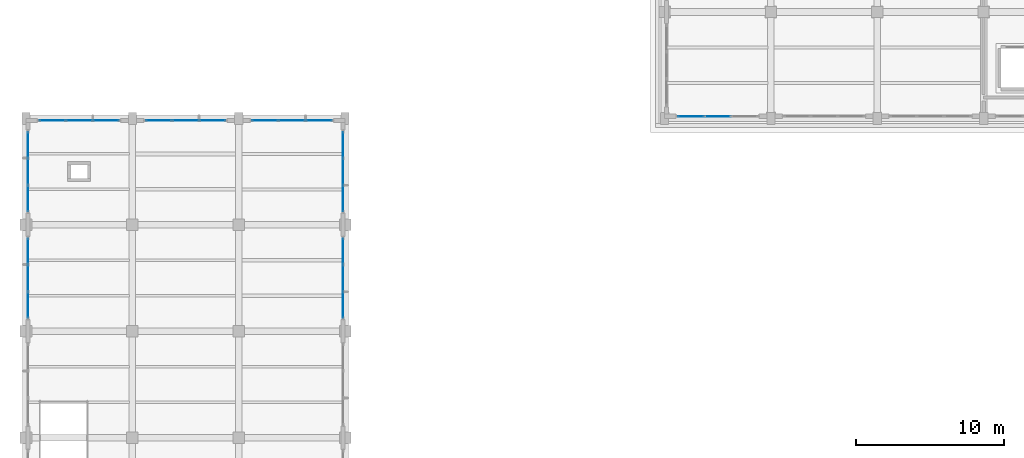
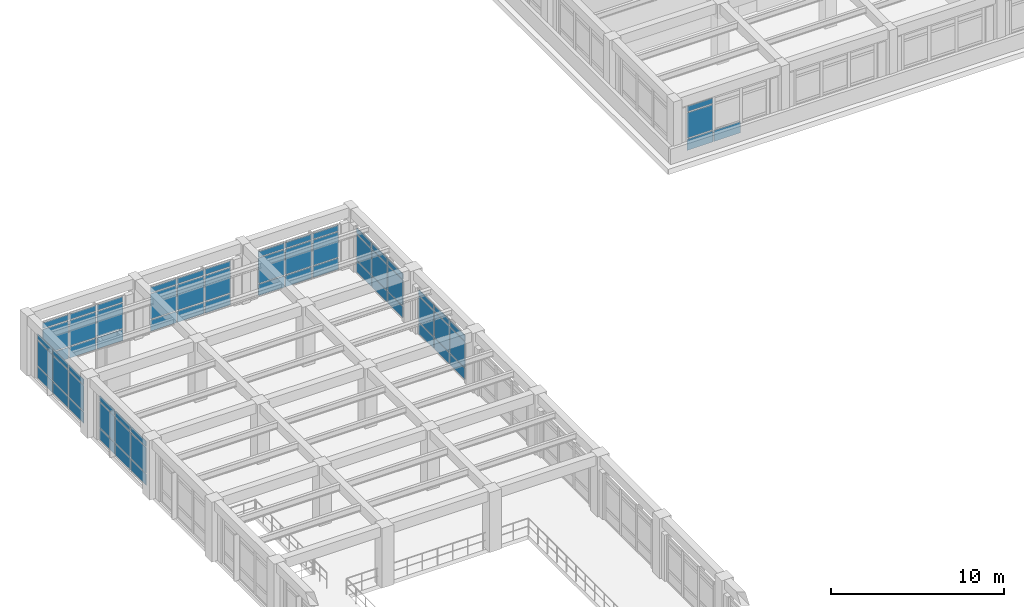
# One storey, part 41 of 67: 67 plates, 8 elements without a shape of their own.
"""IFC4 building model written with IfcOpenShell, lengths in metres."""

import ifcopenshell
import ifcopenshell.guid

model = None  # the IFC model being written
_history = None  # IfcOwnerHistory: only IFC2X3 demands one
_inside = {}  # id of a spatial element -> (the spatial element, [elements in it])
_under = {}  # id of a project, library or spatial element -> (it, [spatial elements below it])
_declared = {}  # id of a project -> (the project, [libraries it declares])
_typed = {}  # id of a type object -> (the type object, [elements of that type])
_made_of = {}  # id of a material, layer set ... -> (it, [elements and type objects made of it])


def new_model(schema):
    """Start an empty IFC model of exactly this schema.

    Asked for "IFC4X3", IfcOpenShell would pick the latest addendum, in which some entities
    have other attributes; the version numbers below select the first issue.
    IFC2X3 requires an IfcOwnerHistory on every rooted entity: one is made here for all.
    """
    global model, _history
    if schema == "IFC4X3":
        model = ifcopenshell.file(schema_version=(4, 3, 0, 0))
    else:
        model = ifcopenshell.file(schema=schema)
    _inside.clear()
    _under.clear()
    _declared.clear()
    _typed.clear()
    _made_of.clear()
    _history = None
    if model.schema == "IFC2X3":
        org = make("IfcOrganization", Name="unknown")
        user = make(
            "IfcPersonAndOrganization",
            ThePerson=make("IfcPerson", FamilyName="unknown"),
            TheOrganization=org,
        )
        app = make(
            "IfcApplication",
            ApplicationDeveloper=org,
            Version="unknown",
            ApplicationFullName="unknown",
            ApplicationIdentifier="unknown",
        )
        _history = make(
            "IfcOwnerHistory",
            OwningUser=user,
            OwningApplication=app,
            ChangeAction="ADDED",
            CreationDate=0,
        )
    return model


def make(cls, **values):
    """One entity of the class cls with the attributes given. An attribute that is None is left unset."""
    return model.create_entity(
        cls, **{name: value for name, value in values.items() if value is not None}
    )


def rooted(cls, **values):
    """An entity with a GlobalId (a new one), such as an element, a storey or a relation."""
    return make(cls, GlobalId=ifcopenshell.guid.new(), OwnerHistory=_history, **values)


def si_unit(unit_type, name, prefix=None):
    """IfcSIUnit, for example si_unit("LENGTHUNIT", "METRE", prefix="MILLI")."""
    return make("IfcSIUnit", UnitType=unit_type, Prefix=prefix, Name=name)


def assignment(units):
    """IfcUnitAssignment: the units of a project."""
    return None if units is None else make("IfcUnitAssignment", Units=units)


def point(xyz):
    """IfcCartesianPoint."""
    return None if xyz is None else make("IfcCartesianPoint", Coordinates=xyz)


def direction(xyz):
    """IfcDirection."""
    return None if xyz is None else make("IfcDirection", DirectionRatios=xyz)


def frame(location, z_axis=None, x_axis=None):
    """IfcAxis2Placement3D, a coordinate frame: its origin and axes. An axis left out is left unset."""
    return make(
        "IfcAxis2Placement3D",
        Location=point(location),
        Axis=direction(z_axis),
        RefDirection=direction(x_axis),
    )


def frame_2d(location, x_axis=None):
    """IfcAxis2Placement2D, a coordinate frame in the plane: its origin and x axis."""
    return make(
        "IfcAxis2Placement2D", Location=point(location), RefDirection=direction(x_axis)
    )


def origin():
    """The frame at (0, 0, 0) with its axes left unset."""
    return frame((0.0, 0.0, 0.0))


def origin_2d():
    """The frame at (0, 0) in the plane with its x axis left unset."""
    return frame_2d((0.0, 0.0))


def place(relative_to, where):
    """IfcLocalPlacement: puts the frame where relative to a parent placement (None: the world)."""
    return make(
        "IfcLocalPlacement", PlacementRelTo=relative_to, RelativePlacement=where
    )


def context(
    kind, dimensions, precision=None, world=None, true_north=None, identifier=None
):
    """IfcGeometricRepresentationContext, for example the 3D "Model" context."""
    return make(
        "IfcGeometricRepresentationContext",
        ContextIdentifier=identifier,
        ContextType=kind,
        CoordinateSpaceDimension=dimensions,
        Precision=precision,
        WorldCoordinateSystem=world,
        TrueNorth=true_north,
    )


def subcontext(parent, identifier, kind, view, scale=None):
    """IfcGeometricRepresentationSubContext, for example "Body" below "Model"."""
    return make(
        "IfcGeometricRepresentationSubContext",
        ContextIdentifier=identifier,
        ContextType=kind,
        ParentContext=parent,
        TargetScale=scale,
        TargetView=view,
    )


def project(units=None, contexts=None):
    """IfcProject with its units and contexts."""
    return rooted(
        "IfcProject",
        Name="project",
        RepresentationContexts=contexts,
        UnitsInContext=assignment(units),
    )


def spatial(cls, under=None, at=None, **own):
    """A site, building, storey or space (cls), placed at a placement, below another one or the project."""
    s = rooted(cls, ObjectPlacement=at, **own)
    if under is not None:
        _under.setdefault(under.id(), (under, []))[1].append(s)
    return s


def profile(cls, at=None, kind="AREA", **sizes):
    """A parametric profile (cls). Its sizes go by their IFC names, for example OverallWidth=200.0."""
    return make(cls, ProfileType=kind, Position=at, **sizes)


def rectangle(**sizes):
    """IfcRectangleProfileDef."""
    return profile("IfcRectangleProfileDef", **sizes)


def extrude(swept, where, along, depth):
    """IfcExtrudedAreaSolid: the profile swept, set in the frame where, extruded along a direction by depth."""
    return make(
        "IfcExtrudedAreaSolid",
        SweptArea=swept,
        Position=where,
        ExtrudedDirection=direction(along),
        Depth=depth,
    )


def shape(context_of_items, identifier, shape_type, items):
    """IfcShapeRepresentation: the items that make up one representation, for example the "Body"."""
    return make(
        "IfcShapeRepresentation",
        ContextOfItems=context_of_items,
        RepresentationIdentifier=identifier,
        RepresentationType=shape_type,
        Items=items,
    )


def material(Name=None, Category=None):
    """IfcMaterial."""
    return make("IfcMaterial", Name=Name, Category=Category)


def layer(
    of_material, thickness, ventilated=None, Name=None, Category=None, Priority=None
):
    """IfcMaterialLayer: one layer of a wall or slab, of a material (None: an air gap)."""
    return make(
        "IfcMaterialLayer",
        Material=of_material,
        LayerThickness=thickness,
        IsVentilated=ventilated,
        Name=Name,
        Category=Category,
        Priority=Priority,
    )


def layer_set(layers, Name=None):
    """IfcMaterialLayerSet."""
    return make("IfcMaterialLayerSet", MaterialLayers=layers, LayerSetName=Name)


def made_of(thing, what):
    """Note that an element or type object is made of a material, layer set ...; save() writes the relation."""
    if what is not None:
        _made_of.setdefault(what.id(), (what, []))[1].append(thing)
    return thing


def type_object(cls, material=None, **own):
    """A type object (cls), such as IfcWallType, which elements share."""
    return made_of(rooted(cls, **own), material)


def element(
    cls,
    number,
    at=None,
    inside=None,
    cuts=None,
    type_object=None,
    material=None,
    context=None,
    identifier="Body",
    shape_type=None,
    held_by="IfcProductDefinitionShape",
    body=None,
    shapes=None,
    **own,
):
    """One element of the class cls, such as IfcWall. Its Tag is "e" and its number.

    at: its placement. inside: the storey or other place that contains it. cuts: it is an
    opening in that element (IfcRelVoidsElement). A single representation is given by context,
    identifier, shape_type and body (its items); several are given by shapes. held_by: the class
    of the entity that holds the representations. save() writes the other relations.
    """
    e = rooted(cls, Tag="e%d" % number, ObjectPlacement=at, **own)
    if body is not None:
        shapes = [shape(context, identifier, shape_type, body)]
    if shapes is not None:
        e.Representation = make(held_by, Representations=shapes)
    if inside is not None:
        _inside.setdefault(inside.id(), (inside, []))[1].append(e)
    if cuts is not None:
        rooted(
            "IfcRelVoidsElement", RelatingBuildingElement=cuts, RelatedOpeningElement=e
        )
    if type_object is not None:
        _typed.setdefault(type_object.id(), (type_object, []))[1].append(e)
    return made_of(e, material)


def aggregate(whole, parts):
    """IfcRelAggregates: a whole, such as a stair, and the parts it consists of."""
    return rooted("IfcRelAggregates", RelatingObject=whole, RelatedObjects=parts)


def save(model, path):
    """Write the relations noted so far, then the file.

    IfcRelAggregates (storeys below a building ...), IfcRelContainedInSpatialStructure (elements
    in a storey), IfcRelDefinesByType, IfcRelAssociatesMaterial and IfcRelDeclares: one each for
    every whole, place, type object, material and project.
    """
    for whole, parts in _under.values():
        aggregate(whole, parts)
    for where, things in _inside.values():
        rooted(
            "IfcRelContainedInSpatialStructure",
            RelatedElements=things,
            RelatingStructure=where,
        )
    for kind, things in _typed.values():
        rooted("IfcRelDefinesByType", RelatedObjects=things, RelatingType=kind)
    for what, things in _made_of.values():
        rooted("IfcRelAssociatesMaterial", RelatedObjects=things, RelatingMaterial=what)
    for by, libraries in _declared.values():
        rooted("IfcRelDeclares", RelatingContext=by, RelatedDefinitions=libraries)
    model.write(path)


model = new_model("IFC4")

# Units and contexts
model_context = context("Model", 3, precision=1e-05, world=origin(), true_north=direction((0.0, 1.0)))
body_context = subcontext(model_context, "Body", "Model", "MODEL_VIEW")
ifc_project = project(units=[si_unit("LENGTHUNIT", "METRE"), si_unit("AREAUNIT", "SQUARE_METRE"), si_unit("VOLUMEUNIT", "CUBIC_METRE"), si_unit("PLANEANGLEUNIT", "RADIAN"), si_unit("MASSUNIT", "GRAM", prefix="KILO")], contexts=[model_context])

# Site, building, storey
site_placement = place(None, origin())
site = spatial("IfcSite", under=ifc_project, at=site_placement, CompositionType="ELEMENT")
building_placement = place(site_placement, origin())
building = spatial("IfcBuilding", under=site, at=building_placement, Name="Solenvale Faculty of Natural Sciences", CompositionType="ELEMENT")
storey_placement = place(building_placement, frame((0.0, 0.0, 13.5)))
storey = spatial("IfcBuildingStorey", under=building, at=storey_placement, Name="L03", CompositionType="ELEMENT", Elevation=13.5)

# Curtain wall, plates
ifc_material_1 = material(Name="Anodised bronze aluminium", Category="aluminium")
ifc_layer_1 = layer(ifc_material_1, 0.215087890625)
ifc_layer_set_1 = layer_set([ifc_layer_1], Name="Anodised bronze aluminium")
curtain_wall_type_1 = type_object("IfcCurtainWallType", Name="CW-ATR-UNIT", PredefinedType="USERDEFINED", material=ifc_layer_set_1)
curtain_wall_1_placement = place(storey_placement, origin())
curtain_wall_1 = element("IfcCurtainWall", 1, at=curtain_wall_1_placement, inside=storey, type_object=curtain_wall_type_1, Name="L03 Curtain Wall CW-L03-P1-E2-B2", ObjectType="UNITISED CURTAIN WALL", PredefinedType="USERDEFINED")
ifc_material_2 = material(Name="North-light skylight glass", Category="glass")
ifc_layer_2 = layer(ifc_material_2, 0.028076171875)
ifc_layer_set_2 = layer_set([ifc_layer_2], Name="North-light skylight glass")
plate_type_1 = type_object("IfcPlateType", Name="CWP-PNL-28", PredefinedType="CURTAIN_PANEL", material=ifc_layer_set_2)
plate_1_placement = place(storey_placement, frame((48.614501953125, 93.45751953125, 0.074951171875), z_axis=(0.0, 0.0, 1.0), x_axis=(-1.0, 0.0, 0.0)))
plate_1 = element("IfcPlate", 2, at=plate_1_placement, type_object=plate_type_1, Name="CW-01 panel 1.1", PredefinedType="CURTAIN_PANEL", context=body_context, shape_type="SweptSolid", body=[
    extrude(rectangle(XDim=1.720947265625, YDim=0.028076171875, at=origin_2d()), origin(), (0.0, 0.0, 1.0), 0.78759765625),
])
plate_2_placement = place(storey_placement, frame((48.614501953125, 93.45751953125, 0.9375), z_axis=(0.0, 0.0, 1.0), x_axis=(-1.0, 0.0, 0.0)))
plate_2 = element("IfcPlate", 3, at=plate_2_placement, type_object=plate_type_1, Name="CW-01 panel 1.2", PredefinedType="CURTAIN_PANEL", context=body_context, shape_type="SweptSolid", body=[
    extrude(rectangle(XDim=1.720947265625, YDim=0.028076171875, at=origin_2d()), origin(), (0.0, 0.0, 1.0), 1.784912109375),
])
plate_3_placement = place(storey_placement, frame((48.614501953125, 93.45751953125, 2.79736328125), z_axis=(0.0, 0.0, 1.0), x_axis=(-1.0, 0.0, 0.0)))
plate_3 = element("IfcPlate", 4, at=plate_3_placement, type_object=plate_type_1, Name="CW-01 panel 1.3", PredefinedType="CURTAIN_PANEL", context=body_context, shape_type="SweptSolid", body=[
    extrude(rectangle(XDim=1.720947265625, YDim=0.028076171875, at=origin_2d()), origin(), (0.0, 0.0, 1.0), 0.387451171875),
])
plate_4_placement = place(storey_placement, frame((46.800048828125, 93.45751953125, 0.074951171875), z_axis=(0.0, 0.0, 1.0), x_axis=(-1.0, 0.0, 0.0)))
plate_4 = element("IfcPlate", 5, at=plate_4_placement, type_object=plate_type_1, Name="CW-01 panel 2.1", PredefinedType="CURTAIN_PANEL", context=body_context, shape_type="SweptSolid", body=[
    extrude(rectangle(XDim=1.75830078125, YDim=0.028076171875, at=origin_2d()), origin(), (0.0, 0.0, 1.0), 0.78759765625),
])
plate_5_placement = place(storey_placement, frame((46.800048828125, 93.45751953125, 0.9375), z_axis=(0.0, 0.0, 1.0), x_axis=(-1.0, 0.0, 0.0)))
plate_5 = element("IfcPlate", 6, at=plate_5_placement, type_object=plate_type_1, Name="CW-01 panel 2.2", PredefinedType="CURTAIN_PANEL", context=body_context, shape_type="SweptSolid", body=[
    extrude(rectangle(XDim=1.75830078125, YDim=0.028076171875, at=origin_2d()), origin(), (0.0, 0.0, 1.0), 1.784912109375),
])
plate_6_placement = place(storey_placement, frame((46.800048828125, 93.45751953125, 2.79736328125), z_axis=(0.0, 0.0, 1.0), x_axis=(-1.0, 0.0, 0.0)))
plate_6 = element("IfcPlate", 7, at=plate_6_placement, type_object=plate_type_1, Name="CW-01 panel 2.3", PredefinedType="CURTAIN_PANEL", context=body_context, shape_type="SweptSolid", body=[
    extrude(rectangle(XDim=1.75830078125, YDim=0.028076171875, at=origin_2d()), origin(), (0.0, 0.0, 1.0), 0.387451171875),
])
plate_7_placement = place(storey_placement, frame((44.9853515625, 93.45751953125, 0.074951171875), z_axis=(0.0, 0.0, 1.0), x_axis=(-1.0, 0.0, 0.0)))
plate_7 = element("IfcPlate", 8, at=plate_7_placement, type_object=plate_type_1, Name="CW-01 panel 3.1", PredefinedType="CURTAIN_PANEL", context=body_context, shape_type="SweptSolid", body=[
    extrude(rectangle(XDim=1.720947265625, YDim=0.028076171875, at=origin_2d()), origin(), (0.0, 0.0, 1.0), 0.78759765625),
])
plate_8_placement = place(storey_placement, frame((44.9853515625, 93.45751953125, 0.9375), z_axis=(0.0, 0.0, 1.0), x_axis=(-1.0, 0.0, 0.0)))
plate_8 = element("IfcPlate", 9, at=plate_8_placement, type_object=plate_type_1, Name="CW-01 panel 3.2", PredefinedType="CURTAIN_PANEL", context=body_context, shape_type="SweptSolid", body=[
    extrude(rectangle(XDim=1.720947265625, YDim=0.028076171875, at=origin_2d()), origin(), (0.0, 0.0, 1.0), 1.784912109375),
])
plate_9_placement = place(storey_placement, frame((44.9853515625, 93.45751953125, 2.79736328125), z_axis=(0.0, 0.0, 1.0), x_axis=(-1.0, 0.0, 0.0)))
plate_9 = element("IfcPlate", 10, at=plate_9_placement, type_object=plate_type_1, Name="CW-01 panel 3.3", PredefinedType="CURTAIN_PANEL", context=body_context, shape_type="SweptSolid", body=[
    extrude(rectangle(XDim=1.720947265625, YDim=0.028076171875, at=origin_2d()), origin(), (0.0, 0.0, 1.0), 0.387451171875),
])
aggregate(curtain_wall_1, [plate_1, plate_2, plate_3, plate_4, plate_5, plate_6, plate_7, plate_8, plate_9])

curtain_wall_2_placement = place(storey_placement, origin())
curtain_wall_2 = element("IfcCurtainWall", 11, at=curtain_wall_2_placement, inside=storey, type_object=curtain_wall_type_1, Name="L03 Curtain Wall CW-L03-P1-E3-B1", ObjectType="UNITISED CURTAIN WALL", PredefinedType="USERDEFINED")
plate_10_placement = place(storey_placement, frame((36.142578125, 91.814697265625, 0.074951171875), z_axis=(0.0, 0.0, 1.0), x_axis=(0.0, -1.0, 0.0)))
plate_10 = element("IfcPlate", 12, at=plate_10_placement, type_object=plate_type_1, Name="CW-01 panel 1.1", PredefinedType="CURTAIN_PANEL", context=body_context, shape_type="SweptSolid", body=[
    extrude(rectangle(XDim=1.720947265625, YDim=0.028076171875, at=origin_2d()), origin(), (0.0, 0.0, 1.0), 0.78759765625),
])
plate_11_placement = place(storey_placement, frame((36.142578125, 91.814697265625, 0.9375), z_axis=(0.0, 0.0, 1.0), x_axis=(0.0, -1.0, 0.0)))
plate_11 = element("IfcPlate", 13, at=plate_11_placement, type_object=plate_type_1, Name="CW-01 panel 1.2", PredefinedType="CURTAIN_PANEL", context=body_context, shape_type="SweptSolid", body=[
    extrude(rectangle(XDim=1.720947265625, YDim=0.028076171875, at=origin_2d()), origin(), (0.0, 0.0, 1.0), 1.784912109375),
])
plate_12_placement = place(storey_placement, frame((36.142578125, 91.814697265625, 2.79736328125), z_axis=(0.0, 0.0, 1.0), x_axis=(0.0, -1.0, 0.0)))
plate_12 = element("IfcPlate", 14, at=plate_12_placement, type_object=plate_type_1, Name="CW-01 panel 1.3", PredefinedType="CURTAIN_PANEL", context=body_context, shape_type="SweptSolid", body=[
    extrude(rectangle(XDim=1.720947265625, YDim=0.028076171875, at=origin_2d()), origin(), (0.0, 0.0, 1.0), 0.387451171875),
])
plate_13_placement = place(storey_placement, frame((36.142578125, 90.0, 0.074951171875), z_axis=(0.0, 0.0, 1.0), x_axis=(0.0, -1.0, 0.0)))
plate_13 = element("IfcPlate", 15, at=plate_13_placement, type_object=plate_type_1, Name="CW-01 panel 2.1", PredefinedType="CURTAIN_PANEL", context=body_context, shape_type="SweptSolid", body=[
    extrude(rectangle(XDim=1.75830078125, YDim=0.028076171875, at=origin_2d()), origin(), (0.0, 0.0, 1.0), 0.78759765625),
])
plate_14_placement = place(storey_placement, frame((36.142578125, 90.0, 0.9375), z_axis=(0.0, 0.0, 1.0), x_axis=(0.0, -1.0, 0.0)))
plate_14 = element("IfcPlate", 16, at=plate_14_placement, type_object=plate_type_1, Name="CW-01 panel 2.2", PredefinedType="CURTAIN_PANEL", context=body_context, shape_type="SweptSolid", body=[
    extrude(rectangle(XDim=1.75830078125, YDim=0.028076171875, at=origin_2d()), origin(), (0.0, 0.0, 1.0), 1.784912109375),
])
plate_15_placement = place(storey_placement, frame((36.142578125, 90.0, 2.79736328125), z_axis=(0.0, 0.0, 1.0), x_axis=(0.0, -1.0, 0.0)))
plate_15 = element("IfcPlate", 17, at=plate_15_placement, type_object=plate_type_1, Name="CW-01 panel 2.3", PredefinedType="CURTAIN_PANEL", context=body_context, shape_type="SweptSolid", body=[
    extrude(rectangle(XDim=1.75830078125, YDim=0.028076171875, at=origin_2d()), origin(), (0.0, 0.0, 1.0), 0.387451171875),
])
plate_16_placement = place(storey_placement, frame((36.142578125, 88.185302734375, 0.074951171875), z_axis=(0.0, 0.0, 1.0), x_axis=(0.0, -1.0, 0.0)))
plate_16 = element("IfcPlate", 18, at=plate_16_placement, type_object=plate_type_1, Name="CW-01 panel 3.1", PredefinedType="CURTAIN_PANEL", context=body_context, shape_type="SweptSolid", body=[
    extrude(rectangle(XDim=1.720947265625, YDim=0.028076171875, at=origin_2d()), origin(), (0.0, 0.0, 1.0), 0.78759765625),
])
plate_17_placement = place(storey_placement, frame((36.142578125, 88.185302734375, 0.9375), z_axis=(0.0, 0.0, 1.0), x_axis=(0.0, -1.0, 0.0)))
plate_17 = element("IfcPlate", 19, at=plate_17_placement, type_object=plate_type_1, Name="CW-01 panel 3.2", PredefinedType="CURTAIN_PANEL", context=body_context, shape_type="SweptSolid", body=[
    extrude(rectangle(XDim=1.720947265625, YDim=0.028076171875, at=origin_2d()), origin(), (0.0, 0.0, 1.0), 1.784912109375),
])
plate_18_placement = place(storey_placement, frame((36.142578125, 88.185302734375, 2.79736328125), z_axis=(0.0, 0.0, 1.0), x_axis=(0.0, -1.0, 0.0)))
plate_18 = element("IfcPlate", 20, at=plate_18_placement, type_object=plate_type_1, Name="CW-01 panel 3.3", PredefinedType="CURTAIN_PANEL", context=body_context, shape_type="SweptSolid", body=[
    extrude(rectangle(XDim=1.720947265625, YDim=0.028076171875, at=origin_2d()), origin(), (0.0, 0.0, 1.0), 0.387451171875),
])
aggregate(curtain_wall_2, [plate_10, plate_11, plate_12, plate_13, plate_14, plate_15, plate_16, plate_17, plate_18])

curtain_wall_3_placement = place(storey_placement, origin())
curtain_wall_3 = element("IfcCurtainWall", 21, at=curtain_wall_3_placement, inside=storey, type_object=curtain_wall_type_1, Name="L03 Curtain Wall CW-L03-P1-E2-B3", ObjectType="UNITISED CURTAIN WALL", PredefinedType="USERDEFINED")
ifc_material_3 = material(Name="Triple low-E insulated glass", Category="glass")
ifc_layer_3 = layer(ifc_material_3, 0.031982421875)
ifc_layer_set_3 = layer_set([ifc_layer_3], Name="Triple low-E insulated glass")
plate_type_2 = type_object("IfcPlateType", Name="CWP-PNL-32", PredefinedType="CURTAIN_PANEL", material=ifc_layer_set_3)
plate_19_placement = place(storey_placement, frame((41.41455078125, 93.45751953125, 0.074951171875), z_axis=(0.0, 0.0, 1.0), x_axis=(-1.0, 0.0, 0.0)))
plate_19 = element("IfcPlate", 22, at=plate_19_placement, type_object=plate_type_2, Name="CW-01 panel 1.1", PredefinedType="CURTAIN_PANEL", context=body_context, shape_type="SweptSolid", body=[
    extrude(rectangle(XDim=1.720947265625, YDim=0.031982421875, at=origin_2d()), origin(), (0.0, 0.0, 1.0), 0.78759765625),
])
plate_20_placement = place(storey_placement, frame((41.41455078125, 93.45751953125, 0.9375), z_axis=(0.0, 0.0, 1.0), x_axis=(-1.0, 0.0, 0.0)))
plate_20 = element("IfcPlate", 23, at=plate_20_placement, type_object=plate_type_2, Name="CW-01 panel 1.2", PredefinedType="CURTAIN_PANEL", context=body_context, shape_type="SweptSolid", body=[
    extrude(rectangle(XDim=1.720947265625, YDim=0.031982421875, at=origin_2d()), origin(), (0.0, 0.0, 1.0), 1.784912109375),
])
plate_21_placement = place(storey_placement, frame((41.41455078125, 93.45751953125, 2.79736328125), z_axis=(0.0, 0.0, 1.0), x_axis=(-1.0, 0.0, 0.0)))
plate_21 = element("IfcPlate", 24, at=plate_21_placement, type_object=plate_type_2, Name="CW-01 panel 1.3", PredefinedType="CURTAIN_PANEL", context=body_context, shape_type="SweptSolid", body=[
    extrude(rectangle(XDim=1.720947265625, YDim=0.031982421875, at=origin_2d()), origin(), (0.0, 0.0, 1.0), 0.387451171875),
])
plate_22_placement = place(storey_placement, frame((39.60009765625, 93.45751953125, 0.074951171875), z_axis=(0.0, 0.0, 1.0), x_axis=(-1.0, 0.0, 0.0)))
plate_22 = element("IfcPlate", 25, at=plate_22_placement, type_object=plate_type_2, Name="CW-01 panel 2.1", PredefinedType="CURTAIN_PANEL", context=body_context, shape_type="SweptSolid", body=[
    extrude(rectangle(XDim=1.75830078125, YDim=0.031982421875, at=origin_2d()), origin(), (0.0, 0.0, 1.0), 0.78759765625),
])
plate_23_placement = place(storey_placement, frame((39.60009765625, 93.45751953125, 0.9375), z_axis=(0.0, 0.0, 1.0), x_axis=(-1.0, 0.0, 0.0)))
plate_23 = element("IfcPlate", 26, at=plate_23_placement, type_object=plate_type_2, Name="CW-01 panel 2.2", PredefinedType="CURTAIN_PANEL", context=body_context, shape_type="SweptSolid", body=[
    extrude(rectangle(XDim=1.75830078125, YDim=0.031982421875, at=origin_2d()), origin(), (0.0, 0.0, 1.0), 1.784912109375),
])
plate_24_placement = place(storey_placement, frame((39.60009765625, 93.45751953125, 2.79736328125), z_axis=(0.0, 0.0, 1.0), x_axis=(-1.0, 0.0, 0.0)))
plate_24 = element("IfcPlate", 27, at=plate_24_placement, type_object=plate_type_2, Name="CW-01 panel 2.3", PredefinedType="CURTAIN_PANEL", context=body_context, shape_type="SweptSolid", body=[
    extrude(rectangle(XDim=1.75830078125, YDim=0.031982421875, at=origin_2d()), origin(), (0.0, 0.0, 1.0), 0.387451171875),
])
plate_25_placement = place(storey_placement, frame((37.785400390625, 93.45751953125, 0.074951171875), z_axis=(0.0, 0.0, 1.0), x_axis=(-1.0, 0.0, 0.0)))
plate_25 = element("IfcPlate", 28, at=plate_25_placement, type_object=plate_type_2, Name="CW-01 panel 3.1", PredefinedType="CURTAIN_PANEL", context=body_context, shape_type="SweptSolid", body=[
    extrude(rectangle(XDim=1.720947265625, YDim=0.031982421875, at=origin_2d()), origin(), (0.0, 0.0, 1.0), 0.78759765625),
])
plate_26_placement = place(storey_placement, frame((37.785400390625, 93.45751953125, 0.9375), z_axis=(0.0, 0.0, 1.0), x_axis=(-1.0, 0.0, 0.0)))
plate_26 = element("IfcPlate", 29, at=plate_26_placement, type_object=plate_type_2, Name="CW-01 panel 3.2", PredefinedType="CURTAIN_PANEL", context=body_context, shape_type="SweptSolid", body=[
    extrude(rectangle(XDim=1.720947265625, YDim=0.031982421875, at=origin_2d()), origin(), (0.0, 0.0, 1.0), 1.784912109375),
])
plate_27_placement = place(storey_placement, frame((37.785400390625, 93.45751953125, 2.79736328125), z_axis=(0.0, 0.0, 1.0), x_axis=(-1.0, 0.0, 0.0)))
plate_27 = element("IfcPlate", 30, at=plate_27_placement, type_object=plate_type_2, Name="CW-01 panel 3.3", PredefinedType="CURTAIN_PANEL", context=body_context, shape_type="SweptSolid", body=[
    extrude(rectangle(XDim=1.720947265625, YDim=0.031982421875, at=origin_2d()), origin(), (0.0, 0.0, 1.0), 0.387451171875),
])
aggregate(curtain_wall_3, [plate_19, plate_20, plate_21, plate_22, plate_23, plate_24, plate_25, plate_26, plate_27])

curtain_wall_4_placement = place(storey_placement, origin())
curtain_wall_4 = element("IfcCurtainWall", 31, at=curtain_wall_4_placement, inside=storey, type_object=curtain_wall_type_1, Name="L03 Curtain Wall CW-L03-P1-E3-B2", ObjectType="UNITISED CURTAIN WALL", PredefinedType="USERDEFINED")
plate_28_placement = place(storey_placement, frame((36.142578125, 84.614501953125, 0.074951171875), z_axis=(0.0, 0.0, 1.0), x_axis=(0.0, -1.0, 0.0)))
plate_28 = element("IfcPlate", 32, at=plate_28_placement, type_object=plate_type_2, Name="CW-01 panel 1.1", PredefinedType="CURTAIN_PANEL", context=body_context, shape_type="SweptSolid", body=[
    extrude(rectangle(XDim=1.720947265625, YDim=0.031982421875, at=origin_2d()), origin(), (0.0, 0.0, 1.0), 0.78759765625),
])
plate_29_placement = place(storey_placement, frame((36.142578125, 84.614501953125, 0.9375), z_axis=(0.0, 0.0, 1.0), x_axis=(0.0, -1.0, 0.0)))
plate_29 = element("IfcPlate", 33, at=plate_29_placement, type_object=plate_type_2, Name="CW-01 panel 1.2", PredefinedType="CURTAIN_PANEL", context=body_context, shape_type="SweptSolid", body=[
    extrude(rectangle(XDim=1.720947265625, YDim=0.031982421875, at=origin_2d()), origin(), (0.0, 0.0, 1.0), 1.784912109375),
])
plate_30_placement = place(storey_placement, frame((36.142578125, 84.614501953125, 2.79736328125), z_axis=(0.0, 0.0, 1.0), x_axis=(0.0, -1.0, 0.0)))
plate_30 = element("IfcPlate", 34, at=plate_30_placement, type_object=plate_type_2, Name="CW-01 panel 1.3", PredefinedType="CURTAIN_PANEL", context=body_context, shape_type="SweptSolid", body=[
    extrude(rectangle(XDim=1.720947265625, YDim=0.031982421875, at=origin_2d()), origin(), (0.0, 0.0, 1.0), 0.387451171875),
])
plate_31_placement = place(storey_placement, frame((36.142578125, 82.800048828125, 0.074951171875), z_axis=(0.0, 0.0, 1.0), x_axis=(0.0, -1.0, 0.0)))
plate_31 = element("IfcPlate", 35, at=plate_31_placement, type_object=plate_type_2, Name="CW-01 panel 2.1", PredefinedType="CURTAIN_PANEL", context=body_context, shape_type="SweptSolid", body=[
    extrude(rectangle(XDim=1.75830078125, YDim=0.031982421875, at=origin_2d()), origin(), (0.0, 0.0, 1.0), 0.78759765625),
])
plate_32_placement = place(storey_placement, frame((36.142578125, 82.800048828125, 0.9375), z_axis=(0.0, 0.0, 1.0), x_axis=(0.0, -1.0, 0.0)))
plate_32 = element("IfcPlate", 36, at=plate_32_placement, type_object=plate_type_2, Name="CW-01 panel 2.2", PredefinedType="CURTAIN_PANEL", context=body_context, shape_type="SweptSolid", body=[
    extrude(rectangle(XDim=1.75830078125, YDim=0.031982421875, at=origin_2d()), origin(), (0.0, 0.0, 1.0), 1.784912109375),
])
plate_33_placement = place(storey_placement, frame((36.142578125, 82.800048828125, 2.79736328125), z_axis=(0.0, 0.0, 1.0), x_axis=(0.0, -1.0, 0.0)))
plate_33 = element("IfcPlate", 37, at=plate_33_placement, type_object=plate_type_2, Name="CW-01 panel 2.3", PredefinedType="CURTAIN_PANEL", context=body_context, shape_type="SweptSolid", body=[
    extrude(rectangle(XDim=1.75830078125, YDim=0.031982421875, at=origin_2d()), origin(), (0.0, 0.0, 1.0), 0.387451171875),
])
plate_34_placement = place(storey_placement, frame((36.142578125, 80.9853515625, 0.074951171875), z_axis=(0.0, 0.0, 1.0), x_axis=(0.0, -1.0, 0.0)))
plate_34 = element("IfcPlate", 38, at=plate_34_placement, type_object=plate_type_2, Name="CW-01 panel 3.1", PredefinedType="CURTAIN_PANEL", context=body_context, shape_type="SweptSolid", body=[
    extrude(rectangle(XDim=1.720947265625, YDim=0.031982421875, at=origin_2d()), origin(), (0.0, 0.0, 1.0), 0.78759765625),
])
plate_35_placement = place(storey_placement, frame((36.142578125, 80.9853515625, 0.9375), z_axis=(0.0, 0.0, 1.0), x_axis=(0.0, -1.0, 0.0)))
plate_35 = element("IfcPlate", 39, at=plate_35_placement, type_object=plate_type_2, Name="CW-01 panel 3.2", PredefinedType="CURTAIN_PANEL", context=body_context, shape_type="SweptSolid", body=[
    extrude(rectangle(XDim=1.720947265625, YDim=0.031982421875, at=origin_2d()), origin(), (0.0, 0.0, 1.0), 1.784912109375),
])
plate_36_placement = place(storey_placement, frame((36.142578125, 80.9853515625, 2.79736328125), z_axis=(0.0, 0.0, 1.0), x_axis=(0.0, -1.0, 0.0)))
plate_36 = element("IfcPlate", 40, at=plate_36_placement, type_object=plate_type_2, Name="CW-01 panel 3.3", PredefinedType="CURTAIN_PANEL", context=body_context, shape_type="SweptSolid", body=[
    extrude(rectangle(XDim=1.720947265625, YDim=0.031982421875, at=origin_2d()), origin(), (0.0, 0.0, 1.0), 0.387451171875),
])
aggregate(curtain_wall_4, [plate_28, plate_29, plate_30, plate_31, plate_32, plate_33, plate_34, plate_35, plate_36])

ifc_layer_4 = layer(ifc_material_1, 0.179931640625)
ifc_layer_set_4 = layer_set([ifc_layer_4], Name="Anodised bronze aluminium")
curtain_wall_type_2 = type_object("IfcCurtainWallType", Name="CW-TWR-MOD", PredefinedType="USERDEFINED", material=ifc_layer_set_4)
curtain_wall_5_placement = place(storey_placement, origin())
curtain_wall_5 = element("IfcCurtainWall", 41, at=curtain_wall_5_placement, inside=storey, type_object=curtain_wall_type_2, Name="L03 Curtain Wall CW-L03-P3-E6-B1", ObjectType="UNITISED CURTAIN WALL", PredefinedType="USERDEFINED")
ifc_layer_5 = layer(ifc_material_3, 0.0400390625)
ifc_layer_set_5 = layer_set([ifc_layer_5], Name="Triple low-E insulated glass")
plate_type_3 = type_object("IfcPlateType", Name="CWP-PNL-40", PredefinedType="CURTAIN_PANEL", material=ifc_layer_set_5)
plate_37_placement = place(storey_placement, frame((80.9853515625, 93.742431640625, 0.074951171875), z_axis=(0.0, 0.0, 1.0), x_axis=(1.0, 0.0, 0.0)))
plate_37 = element("IfcPlate", 42, at=plate_37_placement, type_object=plate_type_3, Name="CW-04 panel 1.1", PredefinedType="CURTAIN_PANEL", context=body_context, shape_type="SweptSolid", body=[
    extrude(rectangle(XDim=1.720947265625, YDim=0.0400390625, at=origin_2d()), origin(), (0.0, 0.0, 1.0), 0.78759765625),
])
plate_38_placement = place(storey_placement, frame((80.9853515625, 93.742431640625, 0.9375), z_axis=(0.0, 0.0, 1.0), x_axis=(1.0, 0.0, 0.0)))
plate_38 = element("IfcPlate", 43, at=plate_38_placement, type_object=plate_type_3, Name="CW-04 panel 1.2", PredefinedType="CURTAIN_PANEL", context=body_context, shape_type="SweptSolid", body=[
    extrude(rectangle(XDim=1.720947265625, YDim=0.0400390625, at=origin_2d()), origin(), (0.0, 0.0, 1.0), 1.784912109375),
])
plate_39_placement = place(storey_placement, frame((80.9853515625, 93.742431640625, 2.79736328125), z_axis=(0.0, 0.0, 1.0), x_axis=(1.0, 0.0, 0.0)))
plate_39 = element("IfcPlate", 44, at=plate_39_placement, type_object=plate_type_3, Name="CW-04 panel 1.3", PredefinedType="CURTAIN_PANEL", context=body_context, shape_type="SweptSolid", body=[
    extrude(rectangle(XDim=1.720947265625, YDim=0.0400390625, at=origin_2d()), origin(), (0.0, 0.0, 1.0), 0.387451171875),
])
plate_40_placement = place(storey_placement, frame((82.800048828125, 93.742431640625, 0.074951171875), z_axis=(0.0, 0.0, 1.0), x_axis=(1.0, 0.0, 0.0)))
plate_40 = element("IfcPlate", 45, at=plate_40_placement, type_object=plate_type_3, Name="CW-04 panel 2.1", PredefinedType="CURTAIN_PANEL", context=body_context, shape_type="SweptSolid", body=[
    extrude(rectangle(XDim=1.75830078125, YDim=0.0400390625, at=origin_2d()), origin(), (0.0, 0.0, 1.0), 0.78759765625),
])
aggregate(curtain_wall_5, [plate_37, plate_38, plate_39, plate_40])

curtain_wall_6_placement = place(storey_placement, origin())
curtain_wall_6 = element("IfcCurtainWall", 46, at=curtain_wall_6_placement, inside=storey, type_object=curtain_wall_type_1, Name="L03 Curtain Wall CW-L03-P1-E1-B7", ObjectType="UNITISED CURTAIN WALL", PredefinedType="USERDEFINED")
ifc_layer_6 = layer(ifc_material_3, 0.0439453125)
ifc_layer_set_6 = layer_set([ifc_layer_6], Name="Triple low-E insulated glass")
plate_type_4 = type_object("IfcPlateType", Name="CWP-PNL-44", PredefinedType="CURTAIN_PANEL", material=ifc_layer_set_6)
plate_41_placement = place(storey_placement, frame((57.45751953125, 80.9853515625, 0.074951171875), z_axis=(0.0, 0.0, 1.0), x_axis=(0.0, 1.0, 0.0)))
plate_41 = element("IfcPlate", 47, at=plate_41_placement, type_object=plate_type_4, Name="CW-01 panel 1.1", PredefinedType="CURTAIN_PANEL", context=body_context, shape_type="SweptSolid", body=[
    extrude(rectangle(XDim=1.720947265625, YDim=0.0439453125, at=origin_2d()), origin(), (0.0, 0.0, 1.0), 0.78759765625),
])
plate_42_placement = place(storey_placement, frame((57.45751953125, 80.9853515625, 0.9375), z_axis=(0.0, 0.0, 1.0), x_axis=(0.0, 1.0, 0.0)))
plate_42 = element("IfcPlate", 48, at=plate_42_placement, type_object=plate_type_4, Name="CW-01 panel 1.2", PredefinedType="CURTAIN_PANEL", context=body_context, shape_type="SweptSolid", body=[
    extrude(rectangle(XDim=1.720947265625, YDim=0.0439453125, at=origin_2d()), origin(), (0.0, 0.0, 1.0), 1.784912109375),
])
plate_43_placement = place(storey_placement, frame((57.45751953125, 80.9853515625, 2.79736328125), z_axis=(0.0, 0.0, 1.0), x_axis=(0.0, 1.0, 0.0)))
plate_43 = element("IfcPlate", 49, at=plate_43_placement, type_object=plate_type_4, Name="CW-01 panel 1.3", PredefinedType="CURTAIN_PANEL", context=body_context, shape_type="SweptSolid", body=[
    extrude(rectangle(XDim=1.720947265625, YDim=0.0439453125, at=origin_2d()), origin(), (0.0, 0.0, 1.0), 0.387451171875),
])
plate_44_placement = place(storey_placement, frame((57.45751953125, 82.800048828125, 0.074951171875), z_axis=(0.0, 0.0, 1.0), x_axis=(0.0, 1.0, 0.0)))
plate_44 = element("IfcPlate", 50, at=plate_44_placement, type_object=plate_type_4, Name="CW-01 panel 2.1", PredefinedType="CURTAIN_PANEL", context=body_context, shape_type="SweptSolid", body=[
    extrude(rectangle(XDim=1.75830078125, YDim=0.0439453125, at=origin_2d()), origin(), (0.0, 0.0, 1.0), 0.78759765625),
])
plate_45_placement = place(storey_placement, frame((57.45751953125, 82.800048828125, 0.9375), z_axis=(0.0, 0.0, 1.0), x_axis=(0.0, 1.0, 0.0)))
plate_45 = element("IfcPlate", 51, at=plate_45_placement, type_object=plate_type_4, Name="CW-01 panel 2.2", PredefinedType="CURTAIN_PANEL", context=body_context, shape_type="SweptSolid", body=[
    extrude(rectangle(XDim=1.75830078125, YDim=0.0439453125, at=origin_2d()), origin(), (0.0, 0.0, 1.0), 1.784912109375),
])
plate_46_placement = place(storey_placement, frame((57.45751953125, 82.800048828125, 2.79736328125), z_axis=(0.0, 0.0, 1.0), x_axis=(0.0, 1.0, 0.0)))
plate_46 = element("IfcPlate", 52, at=plate_46_placement, type_object=plate_type_4, Name="CW-01 panel 2.3", PredefinedType="CURTAIN_PANEL", context=body_context, shape_type="SweptSolid", body=[
    extrude(rectangle(XDim=1.75830078125, YDim=0.0439453125, at=origin_2d()), origin(), (0.0, 0.0, 1.0), 0.387451171875),
])
plate_47_placement = place(storey_placement, frame((57.45751953125, 84.614501953125, 0.074951171875), z_axis=(0.0, 0.0, 1.0), x_axis=(0.0, 1.0, 0.0)))
plate_47 = element("IfcPlate", 53, at=plate_47_placement, type_object=plate_type_4, Name="CW-01 panel 3.1", PredefinedType="CURTAIN_PANEL", context=body_context, shape_type="SweptSolid", body=[
    extrude(rectangle(XDim=1.720947265625, YDim=0.0439453125, at=origin_2d()), origin(), (0.0, 0.0, 1.0), 0.78759765625),
])
plate_48_placement = place(storey_placement, frame((57.45751953125, 84.614501953125, 0.9375), z_axis=(0.0, 0.0, 1.0), x_axis=(0.0, 1.0, 0.0)))
plate_48 = element("IfcPlate", 54, at=plate_48_placement, type_object=plate_type_4, Name="CW-01 panel 3.2", PredefinedType="CURTAIN_PANEL", context=body_context, shape_type="SweptSolid", body=[
    extrude(rectangle(XDim=1.720947265625, YDim=0.0439453125, at=origin_2d()), origin(), (0.0, 0.0, 1.0), 1.784912109375),
])
plate_49_placement = place(storey_placement, frame((57.45751953125, 84.614501953125, 2.79736328125), z_axis=(0.0, 0.0, 1.0), x_axis=(0.0, 1.0, 0.0)))
plate_49 = element("IfcPlate", 55, at=plate_49_placement, type_object=plate_type_4, Name="CW-01 panel 3.3", PredefinedType="CURTAIN_PANEL", context=body_context, shape_type="SweptSolid", body=[
    extrude(rectangle(XDim=1.720947265625, YDim=0.0439453125, at=origin_2d()), origin(), (0.0, 0.0, 1.0), 0.387451171875),
])
aggregate(curtain_wall_6, [plate_41, plate_42, plate_43, plate_44, plate_45, plate_46, plate_47, plate_48, plate_49])

curtain_wall_7_placement = place(storey_placement, origin())
curtain_wall_7 = element("IfcCurtainWall", 56, at=curtain_wall_7_placement, inside=storey, type_object=curtain_wall_type_1, Name="L03 Curtain Wall CW-L03-P1-E1-B8", ObjectType="UNITISED CURTAIN WALL", PredefinedType="USERDEFINED")
ifc_layer_7 = layer(ifc_material_1, 0.048095703125)
ifc_layer_set_7 = layer_set([ifc_layer_7], Name="Anodised bronze aluminium")
plate_type_5 = type_object("IfcPlateType", Name="CWP-PNL-48", PredefinedType="CURTAIN_PANEL", material=ifc_layer_set_7)
plate_50_placement = place(storey_placement, frame((57.45751953125, 88.185302734375, 0.074951171875), z_axis=(0.0, 0.0, 1.0), x_axis=(0.0, 1.0, 0.0)))
plate_50 = element("IfcPlate", 57, at=plate_50_placement, type_object=plate_type_5, Name="CW-01 panel 1.1", PredefinedType="CURTAIN_PANEL", context=body_context, shape_type="SweptSolid", body=[
    extrude(rectangle(XDim=1.720947265625, YDim=0.048095703125, at=origin_2d()), origin(), (0.0, 0.0, 1.0), 0.78759765625),
])
plate_51_placement = place(storey_placement, frame((57.45751953125, 88.185302734375, 0.9375), z_axis=(0.0, 0.0, 1.0), x_axis=(0.0, 1.0, 0.0)))
plate_51 = element("IfcPlate", 58, at=plate_51_placement, type_object=plate_type_5, Name="CW-01 panel 1.2", PredefinedType="CURTAIN_PANEL", context=body_context, shape_type="SweptSolid", body=[
    extrude(rectangle(XDim=1.720947265625, YDim=0.048095703125, at=origin_2d()), origin(), (0.0, 0.0, 1.0), 1.784912109375),
])
plate_52_placement = place(storey_placement, frame((57.45751953125, 88.185302734375, 2.79736328125), z_axis=(0.0, 0.0, 1.0), x_axis=(0.0, 1.0, 0.0)))
plate_52 = element("IfcPlate", 59, at=plate_52_placement, type_object=plate_type_5, Name="CW-01 panel 1.3", PredefinedType="CURTAIN_PANEL", context=body_context, shape_type="SweptSolid", body=[
    extrude(rectangle(XDim=1.720947265625, YDim=0.048095703125, at=origin_2d()), origin(), (0.0, 0.0, 1.0), 0.387451171875),
])
plate_53_placement = place(storey_placement, frame((57.45751953125, 90.0, 0.074951171875), z_axis=(0.0, 0.0, 1.0), x_axis=(0.0, 1.0, 0.0)))
plate_53 = element("IfcPlate", 60, at=plate_53_placement, type_object=plate_type_5, Name="CW-01 panel 2.1", PredefinedType="CURTAIN_PANEL", context=body_context, shape_type="SweptSolid", body=[
    extrude(rectangle(XDim=1.75830078125, YDim=0.048095703125, at=origin_2d()), origin(), (0.0, 0.0, 1.0), 0.78759765625),
])
plate_54_placement = place(storey_placement, frame((57.45751953125, 90.0, 0.9375), z_axis=(0.0, 0.0, 1.0), x_axis=(0.0, 1.0, 0.0)))
plate_54 = element("IfcPlate", 61, at=plate_54_placement, type_object=plate_type_5, Name="CW-01 panel 2.2", PredefinedType="CURTAIN_PANEL", context=body_context, shape_type="SweptSolid", body=[
    extrude(rectangle(XDim=1.75830078125, YDim=0.048095703125, at=origin_2d()), origin(), (0.0, 0.0, 1.0), 1.784912109375),
])
plate_55_placement = place(storey_placement, frame((57.45751953125, 90.0, 2.79736328125), z_axis=(0.0, 0.0, 1.0), x_axis=(0.0, 1.0, 0.0)))
plate_55 = element("IfcPlate", 62, at=plate_55_placement, type_object=plate_type_5, Name="CW-01 panel 2.3", PredefinedType="CURTAIN_PANEL", context=body_context, shape_type="SweptSolid", body=[
    extrude(rectangle(XDim=1.75830078125, YDim=0.048095703125, at=origin_2d()), origin(), (0.0, 0.0, 1.0), 0.387451171875),
])
plate_56_placement = place(storey_placement, frame((57.45751953125, 91.814697265625, 0.074951171875), z_axis=(0.0, 0.0, 1.0), x_axis=(0.0, 1.0, 0.0)))
plate_56 = element("IfcPlate", 63, at=plate_56_placement, type_object=plate_type_5, Name="CW-01 panel 3.1", PredefinedType="CURTAIN_PANEL", context=body_context, shape_type="SweptSolid", body=[
    extrude(rectangle(XDim=1.720947265625, YDim=0.048095703125, at=origin_2d()), origin(), (0.0, 0.0, 1.0), 0.78759765625),
])
plate_57_placement = place(storey_placement, frame((57.45751953125, 91.814697265625, 0.9375), z_axis=(0.0, 0.0, 1.0), x_axis=(0.0, 1.0, 0.0)))
plate_57 = element("IfcPlate", 64, at=plate_57_placement, type_object=plate_type_5, Name="CW-01 panel 3.2", PredefinedType="CURTAIN_PANEL", context=body_context, shape_type="SweptSolid", body=[
    extrude(rectangle(XDim=1.720947265625, YDim=0.048095703125, at=origin_2d()), origin(), (0.0, 0.0, 1.0), 1.784912109375),
])
plate_58_placement = place(storey_placement, frame((57.45751953125, 91.814697265625, 2.79736328125), z_axis=(0.0, 0.0, 1.0), x_axis=(0.0, 1.0, 0.0)))
plate_58 = element("IfcPlate", 65, at=plate_58_placement, type_object=plate_type_5, Name="CW-01 panel 3.3", PredefinedType="CURTAIN_PANEL", context=body_context, shape_type="SweptSolid", body=[
    extrude(rectangle(XDim=1.720947265625, YDim=0.048095703125, at=origin_2d()), origin(), (0.0, 0.0, 1.0), 0.387451171875),
])
aggregate(curtain_wall_7, [plate_50, plate_51, plate_52, plate_53, plate_54, plate_55, plate_56, plate_57, plate_58])

curtain_wall_8_placement = place(storey_placement, origin())
curtain_wall_8 = element("IfcCurtainWall", 66, at=curtain_wall_8_placement, inside=storey, type_object=curtain_wall_type_1, Name="L03 Curtain Wall CW-L03-P1-E2-B1", ObjectType="UNITISED CURTAIN WALL", PredefinedType="USERDEFINED")
ifc_layer_8 = layer(ifc_material_1, 0.06005859375)
ifc_layer_set_8 = layer_set([ifc_layer_8], Name="Anodised bronze aluminium")
plate_type_6 = type_object("IfcPlateType", Name="CWP-PNL-60", PredefinedType="CURTAIN_PANEL", material=ifc_layer_set_8)
plate_59_placement = place(storey_placement, frame((55.814697265625, 93.45751953125, 0.074951171875), z_axis=(0.0, 0.0, 1.0), x_axis=(-1.0, 0.0, 0.0)))
plate_59 = element("IfcPlate", 67, at=plate_59_placement, type_object=plate_type_6, Name="CW-01 panel 1.1", PredefinedType="CURTAIN_PANEL", context=body_context, shape_type="SweptSolid", body=[
    extrude(rectangle(XDim=1.720947265625, YDim=0.06005859375, at=origin_2d()), origin(), (0.0, 0.0, 1.0), 0.78759765625),
])
plate_60_placement = place(storey_placement, frame((55.814697265625, 93.45751953125, 0.9375), z_axis=(0.0, 0.0, 1.0), x_axis=(-1.0, 0.0, 0.0)))
plate_60 = element("IfcPlate", 68, at=plate_60_placement, type_object=plate_type_6, Name="CW-01 panel 1.2", PredefinedType="CURTAIN_PANEL", context=body_context, shape_type="SweptSolid", body=[
    extrude(rectangle(XDim=1.720947265625, YDim=0.06005859375, at=origin_2d()), origin(), (0.0, 0.0, 1.0), 1.784912109375),
])
plate_61_placement = place(storey_placement, frame((55.814697265625, 93.45751953125, 2.79736328125), z_axis=(0.0, 0.0, 1.0), x_axis=(-1.0, 0.0, 0.0)))
plate_61 = element("IfcPlate", 69, at=plate_61_placement, type_object=plate_type_6, Name="CW-01 panel 1.3", PredefinedType="CURTAIN_PANEL", context=body_context, shape_type="SweptSolid", body=[
    extrude(rectangle(XDim=1.720947265625, YDim=0.06005859375, at=origin_2d()), origin(), (0.0, 0.0, 1.0), 0.387451171875),
])
plate_62_placement = place(storey_placement, frame((54.0, 93.45751953125, 0.074951171875), z_axis=(0.0, 0.0, 1.0), x_axis=(-1.0, 0.0, 0.0)))
plate_62 = element("IfcPlate", 70, at=plate_62_placement, type_object=plate_type_6, Name="CW-01 panel 2.1", PredefinedType="CURTAIN_PANEL", context=body_context, shape_type="SweptSolid", body=[
    extrude(rectangle(XDim=1.75830078125, YDim=0.06005859375, at=origin_2d()), origin(), (0.0, 0.0, 1.0), 0.78759765625),
])
plate_63_placement = place(storey_placement, frame((54.0, 93.45751953125, 0.9375), z_axis=(0.0, 0.0, 1.0), x_axis=(-1.0, 0.0, 0.0)))
plate_63 = element("IfcPlate", 71, at=plate_63_placement, type_object=plate_type_6, Name="CW-01 panel 2.2", PredefinedType="CURTAIN_PANEL", context=body_context, shape_type="SweptSolid", body=[
    extrude(rectangle(XDim=1.75830078125, YDim=0.06005859375, at=origin_2d()), origin(), (0.0, 0.0, 1.0), 1.784912109375),
])
plate_64_placement = place(storey_placement, frame((54.0, 93.45751953125, 2.79736328125), z_axis=(0.0, 0.0, 1.0), x_axis=(-1.0, 0.0, 0.0)))
plate_64 = element("IfcPlate", 72, at=plate_64_placement, type_object=plate_type_6, Name="CW-01 panel 2.3", PredefinedType="CURTAIN_PANEL", context=body_context, shape_type="SweptSolid", body=[
    extrude(rectangle(XDim=1.75830078125, YDim=0.06005859375, at=origin_2d()), origin(), (0.0, 0.0, 1.0), 0.387451171875),
])
plate_65_placement = place(storey_placement, frame((52.185302734375, 93.45751953125, 0.074951171875), z_axis=(0.0, 0.0, 1.0), x_axis=(-1.0, 0.0, 0.0)))
plate_65 = element("IfcPlate", 73, at=plate_65_placement, type_object=plate_type_6, Name="CW-01 panel 3.1", PredefinedType="CURTAIN_PANEL", context=body_context, shape_type="SweptSolid", body=[
    extrude(rectangle(XDim=1.720947265625, YDim=0.06005859375, at=origin_2d()), origin(), (0.0, 0.0, 1.0), 0.78759765625),
])
plate_66_placement = place(storey_placement, frame((52.185302734375, 93.45751953125, 0.9375), z_axis=(0.0, 0.0, 1.0), x_axis=(-1.0, 0.0, 0.0)))
plate_66 = element("IfcPlate", 74, at=plate_66_placement, type_object=plate_type_6, Name="CW-01 panel 3.2", PredefinedType="CURTAIN_PANEL", context=body_context, shape_type="SweptSolid", body=[
    extrude(rectangle(XDim=1.720947265625, YDim=0.06005859375, at=origin_2d()), origin(), (0.0, 0.0, 1.0), 1.784912109375),
])
plate_67_placement = place(storey_placement, frame((52.185302734375, 93.45751953125, 2.79736328125), z_axis=(0.0, 0.0, 1.0), x_axis=(-1.0, 0.0, 0.0)))
plate_67 = element("IfcPlate", 75, at=plate_67_placement, type_object=plate_type_6, Name="CW-01 panel 3.3", PredefinedType="CURTAIN_PANEL", context=body_context, shape_type="SweptSolid", body=[
    extrude(rectangle(XDim=1.720947265625, YDim=0.06005859375, at=origin_2d()), origin(), (0.0, 0.0, 1.0), 0.387451171875),
])
aggregate(curtain_wall_8, [plate_59, plate_60, plate_61, plate_62, plate_63, plate_64, plate_65, plate_66, plate_67])

save(model, "model.ifc")
